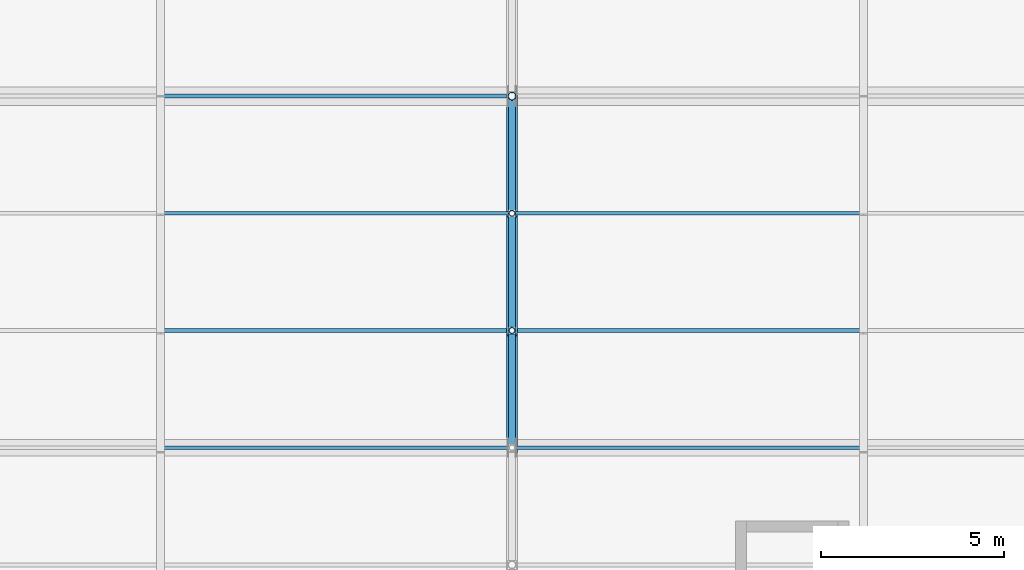
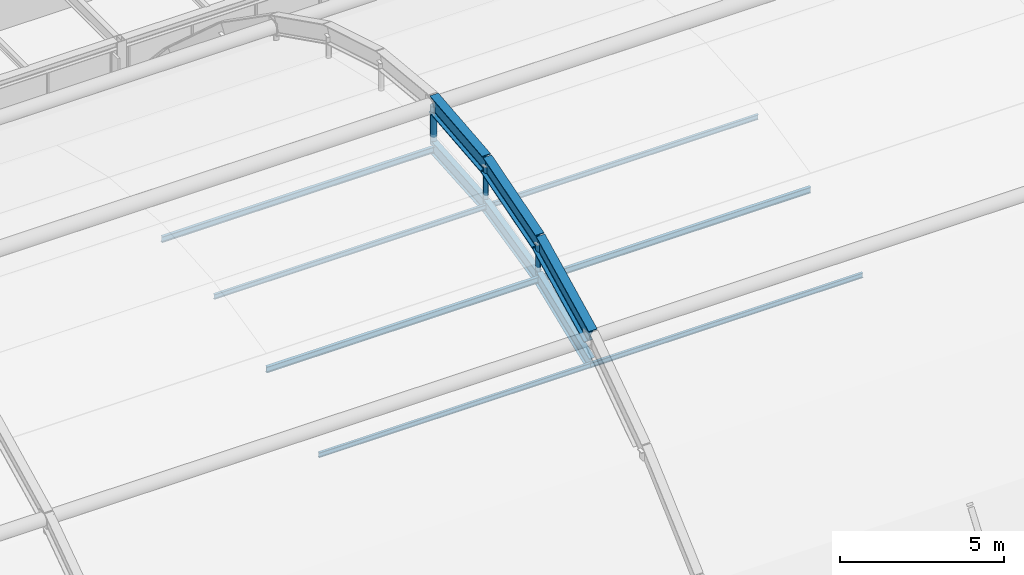
# One storey, part 58 of 126: 10 members, 6 beams.
"""IFC4 building model written with IfcOpenShell, lengths in metres."""

from ifc_helpers import new_model, si_unit, direction, frame, origin, origin_2d, place, context, subcontext, project, spatial, hollow_circle, i_section, extrude, material, material_profile, profile_set, type_object, element, save


model = new_model("IFC4")

# Units and contexts
model_context = context("Model", 3, precision=1e-05, world=origin(), true_north=direction((0.0, 1.0)))
body_context = subcontext(model_context, "Body", "Model", "MODEL_VIEW")
ifc_project = project(units=[si_unit("LENGTHUNIT", "METRE"), si_unit("AREAUNIT", "SQUARE_METRE"), si_unit("VOLUMEUNIT", "CUBIC_METRE"), si_unit("PLANEANGLEUNIT", "RADIAN"), si_unit("MASSUNIT", "GRAM", prefix="KILO")], contexts=[model_context])

# Site, building, storey
site_placement = place(None, origin())
site = spatial("IfcSite", under=ifc_project, at=site_placement, CompositionType="ELEMENT")
building_placement = place(site_placement, origin())
building = spatial("IfcBuilding", under=site, at=building_placement, Name="Coralgate Yard Interchange", CompositionType="ELEMENT")
storey_placement = place(building_placement, frame((0.0, 0.0, 10.5)))
storey = spatial("IfcBuildingStorey", under=building, at=storey_placement, Name="L02", CompositionType="ELEMENT", Elevation=10.5)

# Beams
ifc_material_1 = material(Name="Yellow-ochre weather-coated structural steel S355J2", Category="steel")
ifc_material_profile_1 = material_profile(ifc_material_1, i_section(OverallWidth=0.300048828125, OverallDepth=0.64990234375, WebThickness=0.01611328125, FlangeThickness=0.031005859375, FilletRadius=0.027099609375, at=origin_2d()), Name="HEB 650")
ifc_profile_set_1 = profile_set([ifc_material_profile_1], Name="Yellow-ochre weather-coated structural steel S355J2")
beam_type_1 = type_object("IfcBeamType", Name="BM-AR-1", PredefinedType="BEAM", material=ifc_profile_set_1)
beam_1_placement = place(storey_placement, frame((86.39990234375, 48.0, 10.324951171875), z_axis=(0.0, 0.894740986573, 0.446585453129), x_axis=(-1.0, 0.0, 0.0)))
element("IfcBeam", 1, at=beam_1_placement, inside=storey, type_object=beam_type_1, Name="Yellow-ochre overarching steel arch AR-3 chord 5", PredefinedType="BEAM", context=body_context, shape_type="SweptSolid", body=[
    extrude(i_section(OverallWidth=0.300048828125, OverallDepth=0.64990234375, WebThickness=0.01611328125, FlangeThickness=0.031005859375, FilletRadius=0.027099609375, at=origin_2d()), origin(), (0.0, 0.0, 1.0), 3.576416015625),
])
beam_2_placement = place(storey_placement, frame((86.39990234375, 51.199951171875, 11.922119140625), z_axis=(0.0, 0.957948903279, 0.286938841403), x_axis=(-1.0, 0.0, 0.0)))
element("IfcBeam", 2, at=beam_2_placement, inside=storey, type_object=beam_type_1, Name="Yellow-ochre overarching steel arch AR-3 chord 6", PredefinedType="BEAM", context=body_context, shape_type="SweptSolid", body=[
    extrude(i_section(OverallWidth=0.300048828125, OverallDepth=0.64990234375, WebThickness=0.01611328125, FlangeThickness=0.031005859375, FilletRadius=0.027099609375, at=origin_2d()), origin(), (0.0, 0.0, 1.0), 3.34033203125),
])
beam_3_placement = place(storey_placement, frame((86.39990234375, 54.39990234375, 12.880615234375), z_axis=(0.0, 0.995058212944, 0.0992932669), x_axis=(-1.0, 0.0, 0.0)))
element("IfcBeam", 3, at=beam_3_placement, inside=storey, type_object=beam_type_1, Name="Yellow-ochre overarching steel arch AR-3 chord 7", PredefinedType="BEAM", context=body_context, shape_type="SweptSolid", body=[
    extrude(i_section(OverallWidth=0.300048828125, OverallDepth=0.64990234375, WebThickness=0.01611328125, FlangeThickness=0.031005859375, FilletRadius=0.027099609375, at=origin_2d()), origin(), (0.0, 0.0, 1.0), 3.216064453125),
])
ifc_material_2 = material(Name="Weather-coated structural steel S355J2", Category="steel")
ifc_material_profile_2 = material_profile(ifc_material_2, i_section(OverallWidth=0.199951171875, OverallDepth=0.5, WebThickness=0.01025390625, FlangeThickness=0.01611328125, FilletRadius=0.02099609375, at=origin_2d()), Name="IPE 500")
ifc_profile_set_2 = profile_set([ifc_material_profile_2], Name="Weather-coated structural steel S355J2")
beam_type_2 = type_object("IfcBeamType", Name="BM-VR-2", PredefinedType="BEAM", material=ifc_profile_set_2)
beam_4_placement = place(storey_placement, frame((86.39990234375, 48.0, 9.3125), z_axis=(0.0, 0.927713244188, 0.373293633161), x_axis=(-1.0, 0.0, 0.0)))
element("IfcBeam", 4, at=beam_4_placement, inside=storey, type_object=beam_type_2, Name="Barrel-vault gridshell rib 6 seg 4", PredefinedType="BEAM", context=body_context, shape_type="SweptSolid", body=[
    extrude(i_section(OverallWidth=0.199951171875, OverallDepth=0.5, WebThickness=0.01025390625, FlangeThickness=0.01611328125, FilletRadius=0.02099609375, at=origin_2d()), origin(), (0.0, 0.0, 1.0), 3.44921875),
])
beam_5_placement = place(storey_placement, frame((86.39990234375, 51.199951171875, 10.60009765625), z_axis=(0.0, 0.974613791, 0.22389273859), x_axis=(-1.0, 0.0, 0.0)))
element("IfcBeam", 5, at=beam_5_placement, inside=storey, type_object=beam_type_2, Name="Barrel-vault gridshell rib 6 seg 5", PredefinedType="BEAM", context=body_context, shape_type="SweptSolid", body=[
    extrude(i_section(OverallWidth=0.199951171875, OverallDepth=0.5, WebThickness=0.01025390625, FlangeThickness=0.01611328125, FilletRadius=0.02099609375, at=origin_2d()), origin(), (0.0, 0.0, 1.0), 3.283203125),
])
beam_6_placement = place(storey_placement, frame((86.39990234375, 54.39990234375, 11.335205078125), z_axis=(0.0, 0.997211212266, 0.074631080198), x_axis=(-1.0, 0.0, 0.0)))
element("IfcBeam", 6, at=beam_6_placement, inside=storey, type_object=beam_type_2, Name="Barrel-vault gridshell rib 6 seg 6", PredefinedType="BEAM", context=body_context, shape_type="SweptSolid", body=[
    extrude(i_section(OverallWidth=0.199951171875, OverallDepth=0.5, WebThickness=0.01025390625, FlangeThickness=0.01611328125, FilletRadius=0.02099609375, at=origin_2d()), origin(), (0.0, 0.0, 1.0), 3.209228515625),
])

# Members
ifc_material_profile_3 = material_profile(ifc_material_1, hollow_circle(Radius=0.109619140625, WallThickness=0.010009765625, at=origin_2d()), Name="CHS 219.1x10")
ifc_profile_set_3 = profile_set([ifc_material_profile_3], Name="Yellow-ochre weather-coated structural steel S355J2")
member_type_1 = type_object("IfcMemberType", Name="MB-HG-1", PredefinedType="STRUT", material=ifc_profile_set_3)
member_1_placement = place(storey_placement, frame((86.39990234375, 57.60009765625, 11.6748046875), z_axis=(0.0, 0.0, 1.0), x_axis=(1.0, 0.0, 0.0)))
element("IfcMember", 7, at=member_1_placement, inside=storey, type_object=member_type_1, Name="Arch AR-3 steel suspension hanger 6", PredefinedType="STRUT", context=body_context, shape_type="SweptSolid", body=[
    extrude(hollow_circle(Radius=0.109619140625, WallThickness=0.010009765625, at=origin_2d()), origin(), (0.0, 0.0, 1.0), 1.42529296875),
])
ifc_material_profile_4 = material_profile(ifc_material_1, hollow_circle(Radius=0.084228515625, WallThickness=0.008056640625, at=origin_2d()), Name="CHS 168.3x8")
ifc_profile_set_4 = profile_set([ifc_material_profile_4], Name="Yellow-ochre weather-coated structural steel S355J2")
member_type_2 = type_object("IfcMemberType", Name="MB-HG-2", PredefinedType="STRUT", material=ifc_profile_set_4)
member_2_placement = place(storey_placement, frame((86.39990234375, 51.199951171875, 10.7001953125), z_axis=(0.0, 0.0, 1.0), x_axis=(1.0, 0.0, 0.0)))
element("IfcMember", 8, at=member_2_placement, inside=storey, type_object=member_type_2, Name="Arch AR-3 steel suspension hanger 4", PredefinedType="STRUT", context=body_context, shape_type="SweptSolid", body=[
    extrude(hollow_circle(Radius=0.084228515625, WallThickness=0.008056640625, at=origin_2d()), origin(), (0.0, 0.0, 1.0), 1.1220703125),
])
member_3_placement = place(storey_placement, frame((86.39990234375, 54.39990234375, 11.435302734375), z_axis=(0.0, 0.0, 1.0), x_axis=(1.0, 0.0, 0.0)))
element("IfcMember", 9, at=member_3_placement, inside=storey, type_object=member_type_2, Name="Arch AR-3 steel suspension hanger 5", PredefinedType="STRUT", context=body_context, shape_type="SweptSolid", body=[
    extrude(hollow_circle(Radius=0.084228515625, WallThickness=0.008056640625, at=origin_2d()), origin(), (0.0, 0.0, 1.0), 1.34521484375),
])
ifc_material_profile_5 = material_profile(ifc_material_2, i_section(OverallWidth=0.110107421875, OverallDepth=0.219970703125, WebThickness=0.005859375, FlangeThickness=0.00927734375, FilletRadius=0.011962890625, at=origin_2d()), Name="IPE 220")
ifc_profile_set_5 = profile_set([ifc_material_profile_5], Name="Weather-coated structural steel S355J2")
member_type_3 = type_object("IfcMemberType", Name="MB-PR-1", PredefinedType="PURLIN", material=ifc_profile_set_5)
for number, where, z_axis, x_axis, name in (
    (10, (76.802001953125, 51.199951171875, 10.489990234375), (1.0, 0.0, 0.0), (0.0, 1.0, 0.0), "Barrel-vault gridshell purlin 5-5"),
    (11, (76.802001953125, 57.60009765625, 11.46484375), (1.0, 0.0, 0.0), (0.0, 1.0, 0.0), "Barrel-vault gridshell purlin 5-7"),
    (12, (86.402099609375, 51.199951171875, 10.489990234375), (1.0, 0.0, 0.0), (0.0, 1.0, 0.0), "Barrel-vault gridshell purlin 6-5"),
):
    element("IfcMember", number, at=place(storey_placement, frame(where, z_axis=z_axis, x_axis=x_axis)), inside=storey, type_object=member_type_3, Name=name, PredefinedType="PURLIN", context=body_context, shape_type="SweptSolid", body=[
        extrude(i_section(OverallWidth=0.110107421875, OverallDepth=0.219970703125, WebThickness=0.005859375, FlangeThickness=0.00927734375, FilletRadius=0.011962890625, at=origin_2d()), origin(), (0.0, 0.0, 1.0), 9.595947265625),
    ])
ifc_material_3 = material(Name="Off-white architectural structural steel S355J2", Category="steel")
ifc_material_profile_6 = material_profile(ifc_material_3, i_section(OverallWidth=0.091064453125, OverallDepth=0.179931640625, WebThickness=0.00537109375, FlangeThickness=0.008056640625, FilletRadius=0.009033203125, at=origin_2d()), Name="IPE 180")
ifc_profile_set_6 = profile_set([ifc_material_profile_6], Name="Off-white architectural structural steel S355J2")
member_type_4 = type_object("IfcMemberType", Name="MB-PR-2", PredefinedType="PURLIN", material=ifc_profile_set_6)
for number, where, z_axis, x_axis, name in (
    (13, (76.802001953125, 48.0, 9.242431640625), (1.0, 0.0, 0.0), (0.0, 1.0, 0.0), "Barrel-vault gridshell purlin 5-4"),
    (14, (76.802001953125, 54.39990234375, 11.265380859375), (1.0, 0.0, 0.0), (0.0, 1.0, 0.0), "Barrel-vault gridshell purlin 5-6"),
    (15, (86.402099609375, 48.0, 9.242431640625), (1.0, 0.0, 0.0), (0.0, 1.0, 0.0), "Barrel-vault gridshell purlin 6-4"),
    (16, (86.402099609375, 54.39990234375, 11.265380859375), (1.0, 0.0, 0.0), (0.0, 1.0, 0.0), "Barrel-vault gridshell purlin 6-6"),
):
    element("IfcMember", number, at=place(storey_placement, frame(where, z_axis=z_axis, x_axis=x_axis)), inside=storey, type_object=member_type_4, Name=name, PredefinedType="PURLIN", context=body_context, shape_type="SweptSolid", body=[
        extrude(i_section(OverallWidth=0.091064453125, OverallDepth=0.179931640625, WebThickness=0.00537109375, FlangeThickness=0.008056640625, FilletRadius=0.009033203125, at=origin_2d()), origin(), (0.0, 0.0, 1.0), 9.595947265625),
    ])

save(model, "model.ifc")
